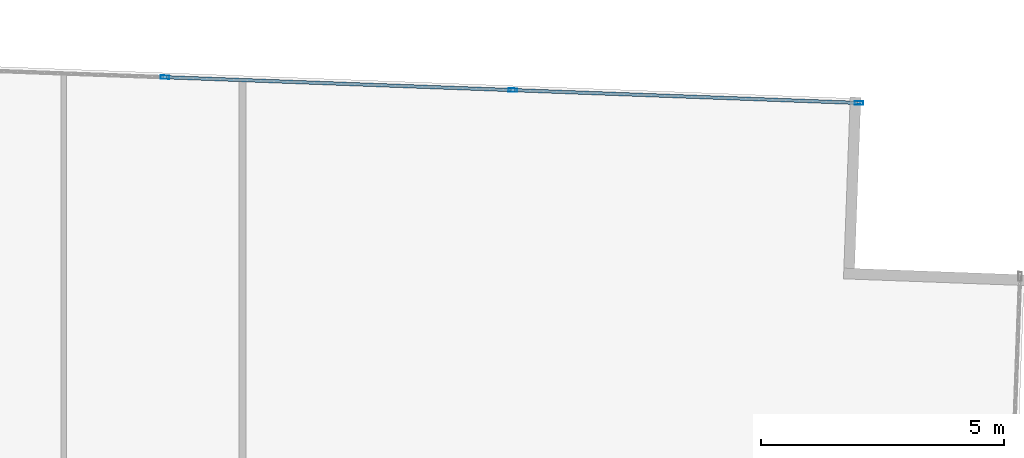
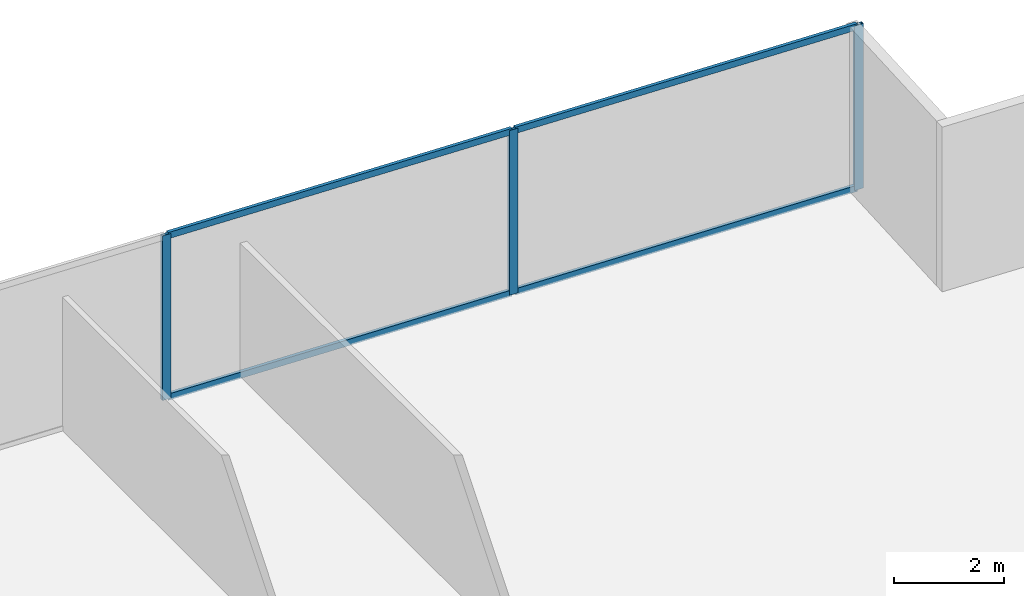
# One storey, part 25 of 30: 7 members, 1 element without a shape of its own.
"""IFC4 building model written with IfcOpenShell, lengths in metres."""

import ifcopenshell
import ifcopenshell.guid

model = None  # the IFC model being written
_history = None  # IfcOwnerHistory: only IFC2X3 demands one
_inside = {}  # id of a spatial element -> (the spatial element, [elements in it])
_under = {}  # id of a project, library or spatial element -> (it, [spatial elements below it])
_declared = {}  # id of a project -> (the project, [libraries it declares])
_typed = {}  # id of a type object -> (the type object, [elements of that type])
_made_of = {}  # id of a material, layer set ... -> (it, [elements and type objects made of it])


def new_model(schema):
    """Start an empty IFC model of exactly this schema.

    Asked for "IFC4X3", IfcOpenShell would pick the latest addendum, in which some entities
    have other attributes; the version numbers below select the first issue.
    IFC2X3 requires an IfcOwnerHistory on every rooted entity: one is made here for all.
    """
    global model, _history
    if schema == "IFC4X3":
        model = ifcopenshell.file(schema_version=(4, 3, 0, 0))
    else:
        model = ifcopenshell.file(schema=schema)
    _inside.clear()
    _under.clear()
    _declared.clear()
    _typed.clear()
    _made_of.clear()
    _history = None
    if model.schema == "IFC2X3":
        org = make("IfcOrganization", Name="unknown")
        user = make(
            "IfcPersonAndOrganization",
            ThePerson=make("IfcPerson", FamilyName="unknown"),
            TheOrganization=org,
        )
        app = make(
            "IfcApplication",
            ApplicationDeveloper=org,
            Version="unknown",
            ApplicationFullName="unknown",
            ApplicationIdentifier="unknown",
        )
        _history = make(
            "IfcOwnerHistory",
            OwningUser=user,
            OwningApplication=app,
            ChangeAction="ADDED",
            CreationDate=0,
        )
    return model


def make(cls, **values):
    """One entity of the class cls with the attributes given. An attribute that is None is left unset."""
    return model.create_entity(
        cls, **{name: value for name, value in values.items() if value is not None}
    )


def rooted(cls, **values):
    """An entity with a GlobalId (a new one), such as an element, a storey or a relation."""
    return make(cls, GlobalId=ifcopenshell.guid.new(), OwnerHistory=_history, **values)


def si_unit(unit_type, name, prefix=None):
    """IfcSIUnit, for example si_unit("LENGTHUNIT", "METRE", prefix="MILLI")."""
    return make("IfcSIUnit", UnitType=unit_type, Prefix=prefix, Name=name)


def assignment(units):
    """IfcUnitAssignment: the units of a project."""
    return None if units is None else make("IfcUnitAssignment", Units=units)


def point(xyz):
    """IfcCartesianPoint."""
    return None if xyz is None else make("IfcCartesianPoint", Coordinates=xyz)


def direction(xyz):
    """IfcDirection."""
    return None if xyz is None else make("IfcDirection", DirectionRatios=xyz)


def frame(location, z_axis=None, x_axis=None):
    """IfcAxis2Placement3D, a coordinate frame: its origin and axes. An axis left out is left unset."""
    return make(
        "IfcAxis2Placement3D",
        Location=point(location),
        Axis=direction(z_axis),
        RefDirection=direction(x_axis),
    )


def frame_2d(location, x_axis=None):
    """IfcAxis2Placement2D, a coordinate frame in the plane: its origin and x axis."""
    return make(
        "IfcAxis2Placement2D", Location=point(location), RefDirection=direction(x_axis)
    )


def origin():
    """The frame at (0, 0, 0) with its axes left unset."""
    return frame((0.0, 0.0, 0.0))


def origin_2d():
    """The frame at (0, 0) in the plane with its x axis left unset."""
    return frame_2d((0.0, 0.0))


def place(relative_to, where):
    """IfcLocalPlacement: puts the frame where relative to a parent placement (None: the world)."""
    return make(
        "IfcLocalPlacement", PlacementRelTo=relative_to, RelativePlacement=where
    )


def context(
    kind, dimensions, precision=None, world=None, true_north=None, identifier=None
):
    """IfcGeometricRepresentationContext, for example the 3D "Model" context."""
    return make(
        "IfcGeometricRepresentationContext",
        ContextIdentifier=identifier,
        ContextType=kind,
        CoordinateSpaceDimension=dimensions,
        Precision=precision,
        WorldCoordinateSystem=world,
        TrueNorth=true_north,
    )


def subcontext(parent, identifier, kind, view, scale=None):
    """IfcGeometricRepresentationSubContext, for example "Body" below "Model"."""
    return make(
        "IfcGeometricRepresentationSubContext",
        ContextIdentifier=identifier,
        ContextType=kind,
        ParentContext=parent,
        TargetScale=scale,
        TargetView=view,
    )


def project(units=None, contexts=None):
    """IfcProject with its units and contexts."""
    return rooted(
        "IfcProject",
        Name="project",
        RepresentationContexts=contexts,
        UnitsInContext=assignment(units),
    )


def spatial(cls, under=None, at=None, **own):
    """A site, building, storey or space (cls), placed at a placement, below another one or the project."""
    s = rooted(cls, ObjectPlacement=at, **own)
    if under is not None:
        _under.setdefault(under.id(), (under, []))[1].append(s)
    return s


def profile(cls, at=None, kind="AREA", **sizes):
    """A parametric profile (cls). Its sizes go by their IFC names, for example OverallWidth=200.0."""
    return make(cls, ProfileType=kind, Position=at, **sizes)


def hollow_rectangle(**sizes):
    """IfcRectangleHollowProfileDef."""
    return profile("IfcRectangleHollowProfileDef", **sizes)


def extrude(swept, where, along, depth):
    """IfcExtrudedAreaSolid: the profile swept, set in the frame where, extruded along a direction by depth."""
    return make(
        "IfcExtrudedAreaSolid",
        SweptArea=swept,
        Position=where,
        ExtrudedDirection=direction(along),
        Depth=depth,
    )


def shape(context_of_items, identifier, shape_type, items):
    """IfcShapeRepresentation: the items that make up one representation, for example the "Body"."""
    return make(
        "IfcShapeRepresentation",
        ContextOfItems=context_of_items,
        RepresentationIdentifier=identifier,
        RepresentationType=shape_type,
        Items=items,
    )


def source(mapping_origin, context_of_items, identifier, shape_type, items):
    """IfcRepresentationMap: a shape defined once, which mapped items show again and again."""
    return make(
        "IfcRepresentationMap",
        MappingOrigin=mapping_origin,
        MappedRepresentation=shape(context_of_items, identifier, shape_type, items),
    )


def transform(
    local_origin,
    x_axis=None,
    y_axis=None,
    z_axis=None,
    scale=None,
    scale2=None,
    scale3=None,
    uniform=True,
):
    """IfcCartesianTransformationOperator3D, or its non-uniform kind. x_axis, y_axis, z_axis: its Axis1, 2, 3."""
    if uniform:
        return make(
            "IfcCartesianTransformationOperator3D",
            Axis1=direction(x_axis),
            Axis2=direction(y_axis),
            LocalOrigin=point(local_origin),
            Scale=scale,
            Axis3=direction(z_axis),
        )
    return make(
        "IfcCartesianTransformationOperator3DnonUniform",
        Axis1=direction(x_axis),
        Axis2=direction(y_axis),
        LocalOrigin=point(local_origin),
        Scale=scale,
        Axis3=direction(z_axis),
        Scale2=scale2,
        Scale3=scale3,
    )


def mapped(mapping_source, mapping_target):
    """IfcMappedItem: shows the shape of a source again, moved by a transform."""
    return make(
        "IfcMappedItem", MappingSource=mapping_source, MappingTarget=mapping_target
    )


def material(Name=None, Category=None):
    """IfcMaterial."""
    return make("IfcMaterial", Name=Name, Category=Category)


def material_profile(
    of_material, cross_section, Name=None, Category=None, Priority=None
):
    """IfcMaterialProfile: a cross section and its material."""
    return make(
        "IfcMaterialProfile",
        Name=Name,
        Material=of_material,
        Profile=cross_section,
        Priority=Priority,
        Category=Category,
    )


def profile_set(profiles, Name=None, composite=None):
    """IfcMaterialProfileSet."""
    return make(
        "IfcMaterialProfileSet",
        Name=Name,
        MaterialProfiles=profiles,
        CompositeProfile=composite,
    )


def made_of(thing, what):
    """Note that an element or type object is made of a material, layer set ...; save() writes the relation."""
    if what is not None:
        _made_of.setdefault(what.id(), (what, []))[1].append(thing)
    return thing


def type_object(cls, material=None, **own):
    """A type object (cls), such as IfcWallType, which elements share."""
    return made_of(rooted(cls, **own), material)


def type_shapes(of_type, sources):
    """Give a type object the sources (RepresentationMaps) that its elements show as mapped items."""
    of_type.RepresentationMaps = sources


def element(
    cls,
    number,
    at=None,
    inside=None,
    cuts=None,
    type_object=None,
    material=None,
    context=None,
    identifier="Body",
    shape_type=None,
    held_by="IfcProductDefinitionShape",
    body=None,
    shapes=None,
    **own,
):
    """One element of the class cls, such as IfcWall. Its Tag is "e" and its number.

    at: its placement. inside: the storey or other place that contains it. cuts: it is an
    opening in that element (IfcRelVoidsElement). A single representation is given by context,
    identifier, shape_type and body (its items); several are given by shapes. held_by: the class
    of the entity that holds the representations. save() writes the other relations.
    """
    e = rooted(cls, Tag="e%d" % number, ObjectPlacement=at, **own)
    if body is not None:
        shapes = [shape(context, identifier, shape_type, body)]
    if shapes is not None:
        e.Representation = make(held_by, Representations=shapes)
    if inside is not None:
        _inside.setdefault(inside.id(), (inside, []))[1].append(e)
    if cuts is not None:
        rooted(
            "IfcRelVoidsElement", RelatingBuildingElement=cuts, RelatedOpeningElement=e
        )
    if type_object is not None:
        _typed.setdefault(type_object.id(), (type_object, []))[1].append(e)
    return made_of(e, material)


def aggregate(whole, parts):
    """IfcRelAggregates: a whole, such as a stair, and the parts it consists of."""
    return rooted("IfcRelAggregates", RelatingObject=whole, RelatedObjects=parts)


def save(model, path):
    """Write the relations noted so far, then the file.

    IfcRelAggregates (storeys below a building ...), IfcRelContainedInSpatialStructure (elements
    in a storey), IfcRelDefinesByType, IfcRelAssociatesMaterial and IfcRelDeclares: one each for
    every whole, place, type object, material and project.
    """
    for whole, parts in _under.values():
        aggregate(whole, parts)
    for where, things in _inside.values():
        rooted(
            "IfcRelContainedInSpatialStructure",
            RelatedElements=things,
            RelatingStructure=where,
        )
    for kind, things in _typed.values():
        rooted("IfcRelDefinesByType", RelatedObjects=things, RelatingType=kind)
    for what, things in _made_of.values():
        rooted("IfcRelAssociatesMaterial", RelatedObjects=things, RelatingMaterial=what)
    for by, libraries in _declared.values():
        rooted("IfcRelDeclares", RelatingContext=by, RelatedDefinitions=libraries)
    model.write(path)


model = new_model("IFC4")

# Units and contexts
model_context = context("Model", 3, precision=1e-05, world=origin(), true_north=direction((0.0, 1.0)))
body_context = subcontext(model_context, "Body", "Model", "MODEL_VIEW")
ifc_project = project(units=[si_unit("LENGTHUNIT", "METRE"), si_unit("AREAUNIT", "SQUARE_METRE"), si_unit("VOLUMEUNIT", "CUBIC_METRE"), si_unit("PLANEANGLEUNIT", "RADIAN"), si_unit("MASSUNIT", "GRAM", prefix="KILO")], contexts=[model_context])

# Site, building, storey
site_placement = place(None, origin())
site = spatial("IfcSite", under=ifc_project, at=site_placement, CompositionType="ELEMENT")
building_placement = place(site_placement, origin())
building = spatial("IfcBuilding", under=site, at=building_placement, Name="Krantzveldt Concourse Tower", CompositionType="ELEMENT")
storey_placement = place(building_placement, frame((0.0, 0.0, 36.85009765625)))
storey = spatial("IfcBuildingStorey", under=building, at=storey_placement, Name="L08", CompositionType="ELEMENT", Elevation=36.85009765625)

# Curtain wall, members
ifc_material = material(Name="Anodised aluminium 6063-T6", Category="aluminium")
curtain_wall_type = type_object("IfcCurtainWallType", Name="CW2", PredefinedType="USERDEFINED", material=ifc_material)
curtain_wall_placement = place(storey_placement, origin())
curtain_wall = element("IfcCurtainWall", 1, at=curtain_wall_placement, inside=storey, type_object=curtain_wall_type, Name="CW-L08-F10", ObjectType="UNITISED CURTAIN WALL", PredefinedType="USERDEFINED")
ifc_material_profile_1 = material_profile(ifc_material, hollow_rectangle(XDim=0.070068359375, YDim=0.179931640625, WallThickness=0.0048828125, at=origin_2d()), Name="Anodised aluminium 6063-T6", Category="aluminium")
ifc_profile_set_1 = profile_set([ifc_material_profile_1], Name="Anodised aluminium 6063-T6 - ALU-MULL 180x70x5")
member_type_1 = type_object("IfcMemberType", Name="CW-MUL-180", PredefinedType="MULLION", material=ifc_profile_set_1)
shared_shape_1 = source(origin(), body_context, "Body", "SweptSolid", [
    extrude(hollow_rectangle(XDim=0.070068359375, YDim=0.179931640625, WallThickness=0.0048828125, at=origin_2d()), origin(), (0.0, 0.0, 1.0), 3.669921875),
])
type_shapes(member_type_1, [shared_shape_1])
member_1_placement = place(storey_placement, frame((58.373779296875, 50.796875, 0.0), z_axis=(0.0, 0.0, 1.0), x_axis=(-0.037079766834, -0.999312308986, 0.0)))
member_1 = element("IfcMember", 2, at=member_1_placement, type_object=member_type_1, Name="CW-Z12 mullion 1", PredefinedType="MULLION", context=body_context, shape_type="MappedRepresentation", body=[
    mapped(shared_shape_1, transform((0.0, 0.0, 0.0), x_axis=(1.0, 0.0, 0.0), y_axis=(0.0, 1.0, 0.0), z_axis=(0.0, 0.0, 1.0), scale=1.0)),
])
member_2_placement = place(storey_placement, frame((51.2470703125, 51.061279296875, 0.0), z_axis=(0.0, 0.0, 1.0), x_axis=(-0.037079766834, -0.999312308986, 0.0)))
member_2 = element("IfcMember", 3, at=member_2_placement, type_object=member_type_1, Name="CW-Z12 mullion 2", PredefinedType="MULLION", context=body_context, shape_type="MappedRepresentation", body=[
    mapped(shared_shape_1, transform((0.0, 0.0, 0.0), x_axis=(1.0, 0.0, 0.0), y_axis=(0.0, 1.0, 0.0), z_axis=(0.0, 0.0, 1.0), scale=1.0)),
])
member_3_placement = place(storey_placement, frame((44.08544921875, 51.3271484375, 0.0), z_axis=(0.0, 0.0, 1.0), x_axis=(-0.037079766834, -0.999312308986, 0.0)))
member_3 = element("IfcMember", 4, at=member_3_placement, type_object=member_type_1, Name="CW-Z12 mullion 3", PredefinedType="MULLION", context=body_context, shape_type="MappedRepresentation", body=[
    mapped(shared_shape_1, transform((0.0, 0.0, 0.0), x_axis=(1.0, 0.0, 0.0), y_axis=(0.0, 1.0, 0.0), z_axis=(0.0, 0.0, 1.0), scale=1.0)),
])
ifc_material_profile_2 = material_profile(ifc_material, hollow_rectangle(XDim=0.070068359375, YDim=0.139892578125, WallThickness=0.0048828125, at=origin_2d()), Name="Anodised aluminium 6063-T6", Category="aluminium")
ifc_profile_set_2 = profile_set([ifc_material_profile_2], Name="Anodised aluminium 6063-T6 - ALU-TRAN 140x70x5")
member_type_2 = type_object("IfcMemberType", Name="CW-TRN-150", PredefinedType="USERDEFINED", material=ifc_profile_set_2)
shared_shape_2 = source(origin(), body_context, "Body", "SweptSolid", [
    extrude(hollow_rectangle(XDim=0.070068359375, YDim=0.139892578125, WallThickness=0.0048828125, at=origin_2d()), origin(), (0.0, 0.0, 1.0), 7.0615234375),
])
member_4_placement = place(storey_placement, frame((58.3388671875, 50.79833984375, 0.034912109375), z_axis=(-0.999312938018, 0.037062810322, 0.0), x_axis=(-0.037062810322, -0.999312938018, 0.0)))
member_4 = element("IfcMember", 5, at=member_4_placement, type_object=member_type_2, Name="CW-Z12 transom 1.1", ObjectType="TRANSOM", PredefinedType="USERDEFINED", context=body_context, shape_type="MappedRepresentation", body=[
    mapped(shared_shape_2, transform((0.0, 0.0, 0.0), x_axis=(1.0, 0.0, 0.0), y_axis=(0.0, 1.0, 0.0), z_axis=(0.0, 0.0, 1.0), scale=1.0)),
])
member_5_placement = place(storey_placement, frame((58.3388671875, 50.79833984375, 3.635009765625), z_axis=(-0.999312938018, 0.037062810322, 0.0), x_axis=(-0.037062810322, -0.999312938018, 0.0)))
member_5 = element("IfcMember", 6, at=member_5_placement, type_object=member_type_2, Name="CW-Z12 transom 1.2", ObjectType="TRANSOM", PredefinedType="USERDEFINED", context=body_context, shape_type="MappedRepresentation", body=[
    mapped(shared_shape_2, transform((0.0, 0.0, 0.0), x_axis=(1.0, 0.0, 0.0), y_axis=(0.0, 1.0, 0.0), z_axis=(0.0, 0.0, 1.0), scale=1.0)),
])
shared_shape_3 = source(origin(), body_context, "Body", "SweptSolid", [
    extrude(hollow_rectangle(XDim=0.070068359375, YDim=0.139892578125, WallThickness=0.0048828125, at=origin_2d()), origin(), (0.0, 0.0, 1.0), 7.0966796875),
])
type_shapes(member_type_2, [shared_shape_2, shared_shape_3])
member_6_placement = place(storey_placement, frame((51.212158203125, 51.062744140625, 0.034912109375), z_axis=(-0.999312097724, 0.037085459975, 0.0), x_axis=(-0.037085459975, -0.999312097724, 0.0)))
member_6 = element("IfcMember", 7, at=member_6_placement, type_object=member_type_2, Name="CW-Z12 transom 2.1", ObjectType="TRANSOM", PredefinedType="USERDEFINED", context=body_context, shape_type="MappedRepresentation", body=[
    mapped(shared_shape_3, transform((0.0, 0.0, 0.0), x_axis=(1.0, 0.0, 0.0), y_axis=(0.0, 1.0, 0.0), z_axis=(0.0, 0.0, 1.0), scale=1.0)),
])
member_7_placement = place(storey_placement, frame((51.212158203125, 51.062744140625, 3.635009765625), z_axis=(-0.999312097724, 0.037085459975, 0.0), x_axis=(-0.037085459975, -0.999312097724, 0.0)))
member_7 = element("IfcMember", 8, at=member_7_placement, type_object=member_type_2, Name="CW-Z12 transom 2.2", ObjectType="TRANSOM", PredefinedType="USERDEFINED", context=body_context, shape_type="MappedRepresentation", body=[
    mapped(shared_shape_3, transform((0.0, 0.0, 0.0), x_axis=(1.0, 0.0, 0.0), y_axis=(0.0, 1.0, 0.0), z_axis=(0.0, 0.0, 1.0), scale=1.0)),
])
aggregate(curtain_wall, [member_1, member_2, member_3, member_4, member_5, member_6, member_7])

save(model, "model.ifc")
